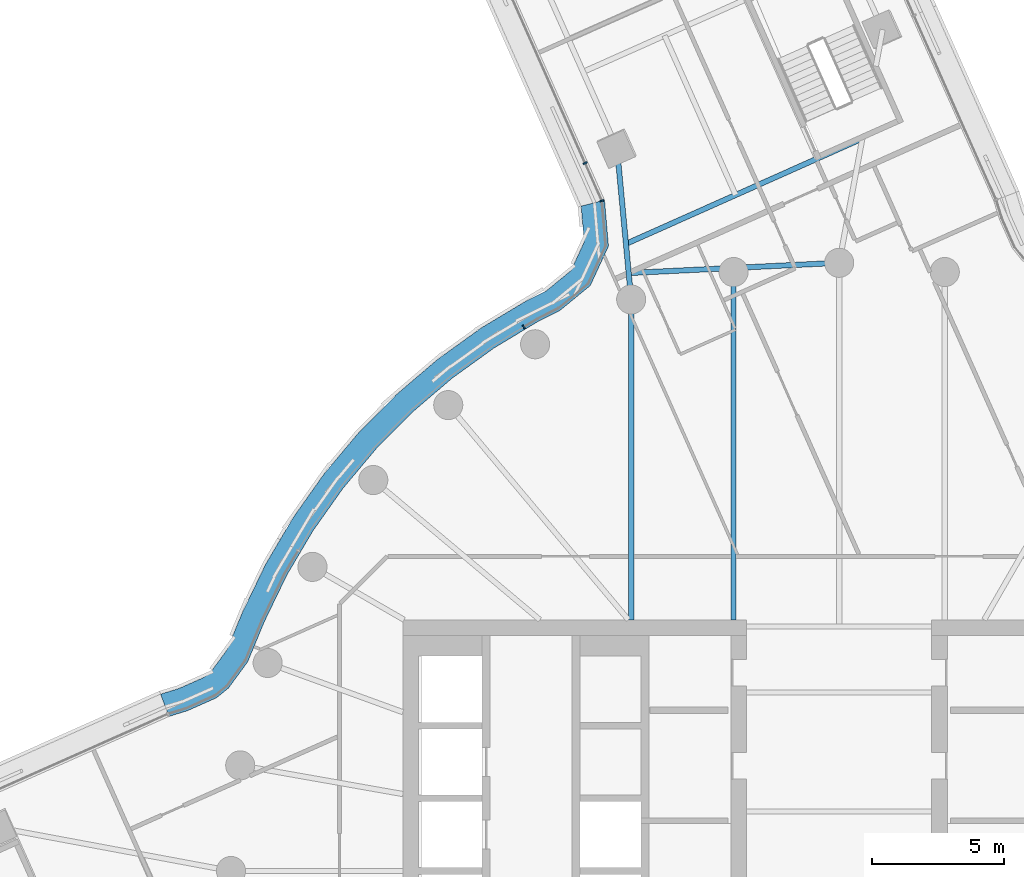
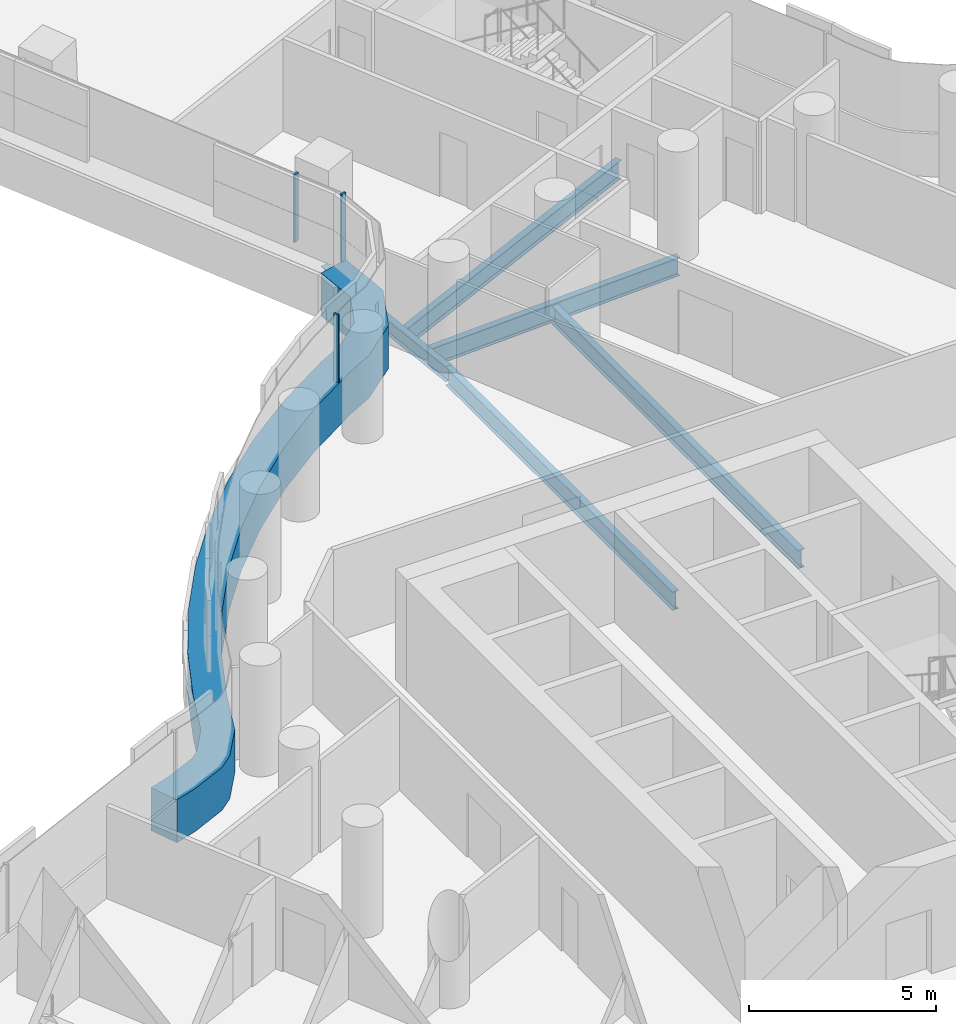
# One storey, part 13 of 35: 5 beams, 4 members, 2 elements without a shape of their own.
"""IFC4 building model written with IfcOpenShell, lengths in metres."""

from ifc_helpers import new_model, si_unit, direction, frame, origin, origin_2d, place, context, subcontext, project, spatial, polyline, rectangle, i_section, outline, extrude, material, layer, layer_set, material_profile, profile_set, type_object, element, aggregate, save


model = new_model("IFC4")

# Units and contexts
model_context = context("Model", 3, precision=1e-05, world=origin(), true_north=direction((0.0, 1.0)))
body_context = subcontext(model_context, "Body", "Model", "MODEL_VIEW")
ifc_project = project(units=[si_unit("LENGTHUNIT", "METRE"), si_unit("AREAUNIT", "SQUARE_METRE"), si_unit("VOLUMEUNIT", "CUBIC_METRE"), si_unit("PLANEANGLEUNIT", "RADIAN"), si_unit("MASSUNIT", "GRAM", prefix="KILO")], contexts=[model_context])

# Site, building, storey
site_placement = place(None, origin())
site = spatial("IfcSite", under=ifc_project, at=site_placement, CompositionType="ELEMENT")
building_placement = place(site_placement, origin())
building = spatial("IfcBuilding", under=site, at=building_placement, Name="Tamarind Cross Interchange Tower", CompositionType="ELEMENT")
storey_placement = place(building_placement, frame((0.0, 0.0, 121.0)))
storey = spatial("IfcBuildingStorey", under=building, at=storey_placement, Name="L29", CompositionType="ELEMENT", Elevation=121.0)

# Beams
ifc_material_1 = material(Name="Steel Q355B", Category="steel")
ifc_material_profile_1 = material_profile(ifc_material_1, i_section(OverallWidth=0.198974609375, OverallDepth=0.49609375, WebThickness=0.009033203125, FlangeThickness=0.013916015625, FilletRadius=0.012939453125, at=origin_2d()), Name="HN 496x199x9x14")
ifc_profile_set_1 = profile_set([ifc_material_profile_1], Name="Steel Q355B")
beam_type_1 = type_object("IfcBeamType", Name="Composite beam HN 496x199x9x14 Q355B", PredefinedType="BEAM", material=ifc_profile_set_1)
beam_1_placement = place(storey_placement, frame((-8.4033203125, 27.3408203125, -0.387939453125), z_axis=(0.093320989215, -0.995636074563, 0.0), x_axis=(0.995636074563, 0.093320989215, 0.0)))
element("IfcBeam", 1, at=beam_1_placement, inside=storey, type_object=beam_type_1, Name="Beam N-linkep", PredefinedType="BEAM", context=body_context, shape_type="SweptSolid", body=[
    extrude(i_section(OverallWidth=0.198974609375, OverallDepth=0.49609375, WebThickness=0.009033203125, FlangeThickness=0.013916015625, FilletRadius=0.012939453125, at=origin_2d()), origin(), (0.0, 0.0, 1.0), 5.7529296875),
])
ifc_material_profile_2 = material_profile(ifc_material_1, i_section(OverallWidth=0.198974609375, OverallDepth=0.595947265625, WebThickness=0.010009765625, FlangeThickness=0.014892578125, FilletRadius=0.012939453125, at=origin_2d()), Name="HN 596x199x10x15")
ifc_profile_set_2 = profile_set([ifc_material_profile_2], Name="Steel Q355B")
beam_type_2 = type_object("IfcBeamType", Name="Composite beam HN 596x199x10x15 Q355B", PredefinedType="BEAM", material=ifc_profile_set_2)
beam_2_placement = place(storey_placement, frame((-3.993896484375, 22.650634765625, -0.43798828125), z_axis=(0.0, -1.0, 0.0), x_axis=(1.0, 0.0, 0.0)))
element("IfcBeam", 2, at=beam_2_placement, inside=storey, type_object=beam_type_2, Name="Beam HH10", PredefinedType="BEAM", context=body_context, shape_type="SweptSolid", body=[
    extrude(i_section(OverallWidth=0.198974609375, OverallDepth=0.595947265625, WebThickness=0.010009765625, FlangeThickness=0.014892578125, FilletRadius=0.012939453125, at=origin_2d()), origin(), (0.0, 0.0, 1.0), 13.150634765625),
])
beam_3_placement = place(storey_placement, frame((-7.866455078125, 21.613037109375, -0.43798828125), z_axis=(0.0, -1.0, 0.0), x_axis=(1.0, 0.0, 0.0)))
element("IfcBeam", 3, at=beam_3_placement, inside=storey, type_object=beam_type_2, Name="Beam HH11", PredefinedType="BEAM", context=body_context, shape_type="SweptSolid", body=[
    extrude(i_section(OverallWidth=0.198974609375, OverallDepth=0.595947265625, WebThickness=0.010009765625, FlangeThickness=0.014892578125, FilletRadius=0.012939453125, at=origin_2d()), origin(), (0.0, 0.0, 1.0), 12.113037109375),
])
ifc_material_profile_3 = material_profile(ifc_material_1, i_section(OverallWidth=0.199951171875, OverallDepth=0.60009765625, WebThickness=0.010986328125, FlangeThickness=0.01708984375, FilletRadius=0.012939453125, at=origin_2d()), Name="HN 600x200x11x17")
ifc_profile_set_3 = profile_set([ifc_material_profile_3], Name="Steel Q355B")
beam_type_3 = type_object("IfcBeamType", Name="Composite beam HN 600x200x11x17 Q355B", PredefinedType="BEAM", material=ifc_profile_set_3)
beam_4_placement = place(storey_placement, frame((0.875732421875, 27.70068359375, -0.43994140625), z_axis=(-0.913332603054, -0.40721438604, 0.0), x_axis=(0.40721438604, -0.913332603054, 0.0)))
element("IfcBeam", 4, at=beam_4_placement, inside=storey, type_object=beam_type_3, Name="Beam N-x268", PredefinedType="BEAM", context=body_context, shape_type="SweptSolid", body=[
    extrude(i_section(OverallWidth=0.199951171875, OverallDepth=0.60009765625, WebThickness=0.010986328125, FlangeThickness=0.01708984375, FilletRadius=0.012939453125, at=origin_2d()), origin(), (0.0, 0.0, 1.0), 9.787353515625),
])
beam_5_placement = place(storey_placement, frame((0.0, 23.0, -0.43994140625), z_axis=(-0.998811514661, -0.048739698191, 0.0), x_axis=(0.048739698191, -0.998811514661, 0.0)))
element("IfcBeam", 5, at=beam_5_placement, inside=storey, type_object=beam_type_3, Name="Beam N-x258", PredefinedType="BEAM", context=body_context, shape_type="SweptSolid", body=[
    extrude(i_section(OverallWidth=0.199951171875, OverallDepth=0.60009765625, WebThickness=0.010986328125, FlangeThickness=0.01708984375, FilletRadius=0.012939453125, at=origin_2d()), origin(), (0.0, 0.0, 1.0), 7.969482421875),
])

# Curtain wall, member
ifc_material_2 = material(Name="Aluminium 6063-T6", Category="aluminium")
ifc_layer = layer(ifc_material_2, 0.159912109375)
ifc_layer_set = layer_set([ifc_layer], Name="Aluminium 6063-T6")
curtain_wall_type = type_object("IfcCurtainWallType", Name="Office curtain wall, 9.0 m bays", PredefinedType="NOTDEFINED", material=ifc_layer_set)
curtain_wall_1_placement = place(storey_placement, origin())
curtain_wall_1 = element("IfcCurtainWall", 6, at=curtain_wall_1_placement, inside=storey, type_object=curtain_wall_type, Name="CWS-L29-14", PredefinedType="NOTDEFINED")
ifc_material_3 = material(Name="Aluminium and insulated spandrel panel", Category="aluminium")
member_type_1 = type_object("IfcMemberType", Name="Floor-edge blade transom", PredefinedType="USERDEFINED", material=ifc_material_3)
member_1_placement = place(storey_placement, origin())
member_1 = element("IfcMember", 7, at=member_1_placement, type_object=member_type_1, Name="CWT-L29-14", ObjectType="TRANSOM", PredefinedType="USERDEFINED", context=body_context, shape_type="SweptSolid", body=[
    extrude(outline(polyline([(-8.8740234375, 25.369873046875), (-8.724365234375, 23.626708984375), (-9.412109375, 22.138427734375), (-10.5625, 21.1943359375), (-11.36669921875, 20.79150390625), (-13.045654296875, 19.78125), (-14.634521484375, 18.636474609375), (-16.12353515625, 17.3642578125), (-17.50244140625, 15.973388671875), (-18.76171875, 14.4736328125), (-19.892822265625, 12.874755859375), (-20.88818359375, 11.188232421875), (-21.7421875, 9.421630859375), (-22.37109375, 7.90380859375), (-23.096435546875, 6.913818359375), (-23.5517578125, 6.547119140625), (-24.65673828125, 6.056396484375), (-25.34619140625, 5.843994140625), (-25.6630859375, 6.68798828125), (-24.97314453125, 6.900634765625), (-24.024658203125, 7.32177734375), (-23.7529296875, 7.540771484375), (-23.1611328125, 8.348388671875), (-22.563720703125, 9.7900390625), (-21.68212890625, 11.613525390625), (-20.64892578125, 13.3642578125), (-19.474853515625, 15.023681640625), (-18.167724609375, 16.580810546875), (-16.736572265625, 18.0244140625), (-15.19091796875, 19.344970703125), (-13.54150390625, 20.533203125), (-11.801025390625, 21.58056640625), (-11.0556640625, 21.953857421875), (-10.142578125, 22.703125), (-9.641357421875, 23.78759765625), (-9.7578125, 25.142822265625), (-8.8740234375, 25.369873046875)])), origin(), (0.0, 0.0, 1.0), 1.39990234375),
])

curtain_wall_2_placement = place(storey_placement, origin())
curtain_wall_2 = element("IfcCurtainWall", 8, at=curtain_wall_2_placement, inside=storey, type_object=curtain_wall_type, Name="CWS-L29-13", PredefinedType="NOTDEFINED")
ifc_material_profile_4 = material_profile(ifc_material_2, rectangle(XDim=0.06005859375, YDim=0.159912109375, at=origin_2d()), Name="Mullion CW1")
ifc_profile_set_4 = profile_set([ifc_material_profile_4], Name="Aluminium 6063-T6")
member_type_2 = type_object("IfcMemberType", Name="Mullion CW1", PredefinedType="MULLION", material=ifc_profile_set_4)
member_2_placement = place(storey_placement, frame((-9.604248046875, 26.76904296875, 1.39990234375), z_axis=(0.0, 0.0, 1.0), x_axis=(0.40562364305, -0.914040185221, 0.0)))
member_2 = element("IfcMember", 9, at=member_2_placement, type_object=member_type_2, Name="CWM-L29-13-02", PredefinedType="MULLION", context=body_context, shape_type="SweptSolid", body=[
    extrude(rectangle(XDim=0.06005859375, YDim=0.159912109375, at=origin_2d()), origin(), (0.0, 0.0, 1.0), 2.210205078125),
])
aggregate(curtain_wall_2, [member_2])

# Member
member_3_placement = place(storey_placement, frame((-8.97216796875, 25.3447265625, 1.39990234375), z_axis=(0.0, 0.0, 1.0), x_axis=(0.248989859926, -0.968506091697, 0.0)))
member_3 = element("IfcMember", 10, at=member_3_placement, type_object=member_type_2, Name="CWM-L29-14-00", PredefinedType="MULLION", context=body_context, shape_type="SweptSolid", body=[
    extrude(rectangle(XDim=0.06005859375, YDim=0.159912109375, at=origin_2d()), origin(), (0.0, 0.0, 1.0), 2.210205078125),
])

member_4_placement = place(storey_placement, frame((-11.92724609375, 20.57080078125, 1.39990234375), z_axis=(0.0, 0.0, 1.0), x_axis=(-0.856843065292, -0.515577308909, 0.0)))
member_4 = element("IfcMember", 11, at=member_4_placement, type_object=member_type_2, Name="CWM-L29-14-01", PredefinedType="MULLION", context=body_context, shape_type="SweptSolid", body=[
    extrude(rectangle(XDim=0.06005859375, YDim=0.159912109375, at=origin_2d()), origin(), (0.0, 0.0, 1.0), 2.210205078125),
])

aggregate(curtain_wall_1, [member_3, member_4, member_1])

save(model, "model.ifc")
